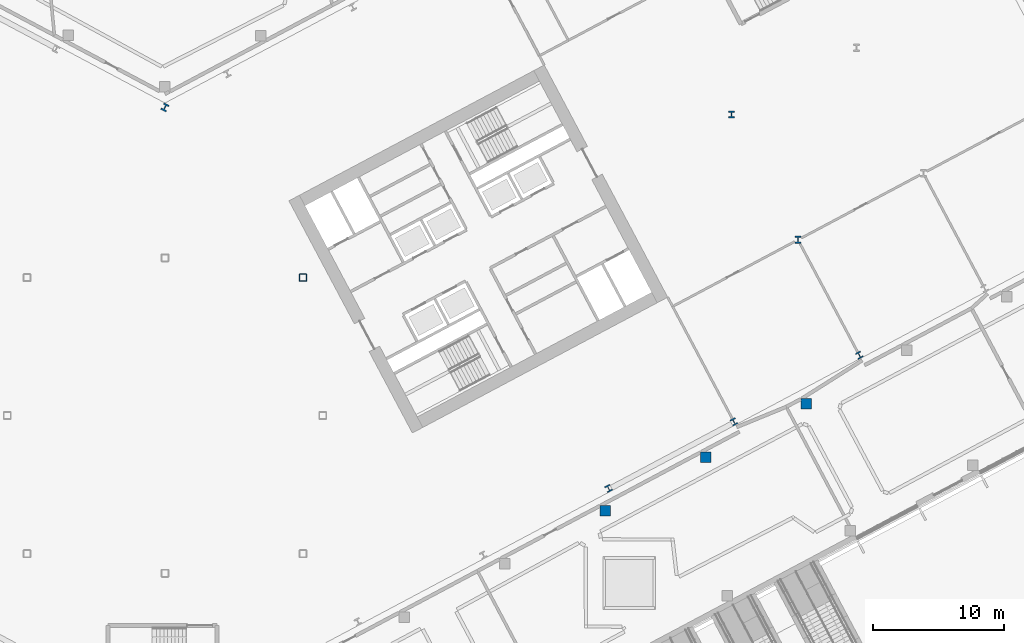
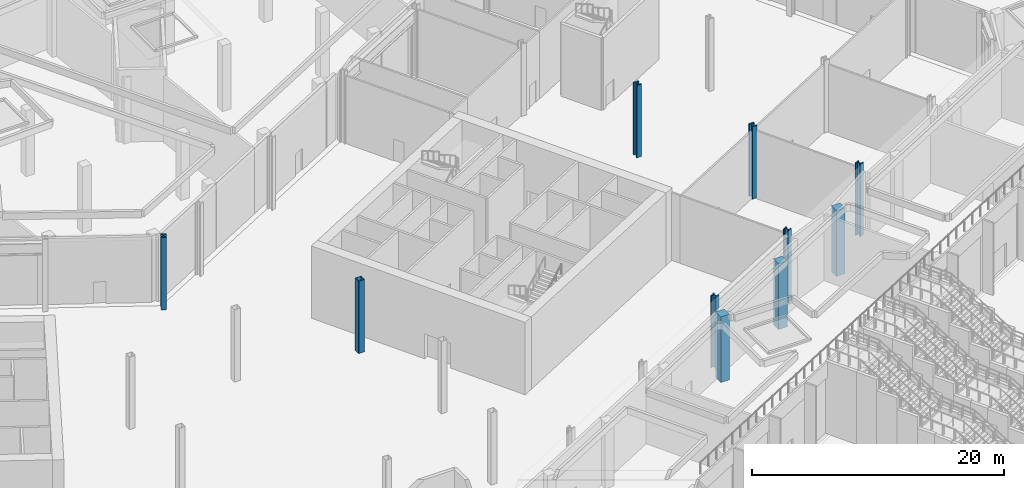
# One storey, part 4 of 57: 10 columns.
"""IFC4 building model written with IfcOpenShell, lengths in metres."""

from ifc_helpers import new_model, si_unit, direction, frame, origin, origin_2d, place, context, subcontext, project, spatial, rectangle, hollow_rectangle, i_section, extrude, material, material_profile, profile_set, type_object, element, save


model = new_model("IFC4")

# Units and contexts
model_context = context("Model", 3, precision=1e-05, world=origin(), true_north=direction((0.0, 1.0)))
body_context = subcontext(model_context, "Body", "Model", "MODEL_VIEW")
ifc_project = project(units=[si_unit("LENGTHUNIT", "METRE"), si_unit("AREAUNIT", "SQUARE_METRE"), si_unit("VOLUMEUNIT", "CUBIC_METRE"), si_unit("PLANEANGLEUNIT", "RADIAN"), si_unit("MASSUNIT", "GRAM", prefix="KILO")], contexts=[model_context])

# Site, building, storey
site_placement = place(None, origin())
site = spatial("IfcSite", under=ifc_project, at=site_placement, CompositionType="ELEMENT")
building_placement = place(site_placement, origin())
building = spatial("IfcBuilding", under=site, at=building_placement, Name="Cormorant Relay Tower", CompositionType="ELEMENT")
storey_placement = place(building_placement, origin())
storey = spatial("IfcBuildingStorey", under=building, at=storey_placement, Name="L00", CompositionType="ELEMENT", Elevation=0.0)

# Columns
ifc_material_1 = material(Name="Concrete 50 MPa", Category="concrete")
ifc_material_profile_1 = material_profile(ifc_material_1, rectangle(XDim=0.800048828125, YDim=0.800048828125, at=origin_2d()), Name="RC 800x800")
ifc_profile_set_1 = profile_set([ifc_material_profile_1], Name="Concrete 50 MPa")
column_type_1 = type_object("IfcColumnType", Name="Base column 800 x 800", PredefinedType="COLUMN", material=ifc_profile_set_1)
for number, where, z_axis, x_axis, name in (
    (1, (33.490966796875, -7.221923828125, 0.0), (0.0, 0.0, 1.0), (1.0, 0.0, 0.0), "Base column"),
    (2, (41.133056640625, -3.158935546875, 0.0), (0.0, 0.0, 1.0), (1.0, 0.0, 0.0), "Base column"),
    (3, (48.77490234375, 0.904052734375, 0.0), (0.0, 0.0, 1.0), (1.0, 0.0, 0.0), "Base column"),
):
    element("IfcColumn", number, at=place(storey_placement, frame(where, z_axis=z_axis, x_axis=x_axis)), inside=storey, type_object=column_type_1, Name=name, PredefinedType="COLUMN", context=body_context, shape_type="SweptSolid", body=[
        extrude(rectangle(XDim=0.800048828125, YDim=0.800048828125, at=origin_2d()), origin(), (0.0, 0.0, 1.0), 6.3701171875),
    ])
ifc_material_2 = material(Name="Steel ASTM A1085 Grade A (Fy 345 MPa)", Category="steel")
ifc_material_profile_2 = material_profile(ifc_material_2, hollow_rectangle(XDim=0.558837890625, YDim=0.558837890625, WallThickness=0.023681640625, InnerFilletRadius=0.01171875, OuterFilletRadius=0.035400390625, at=origin_2d()), Name="HSS559x559x24")
ifc_profile_set_2 = profile_set([ifc_material_profile_2], Name="Steel ASTM A1085 Grade A (Fy 345 MPa)")
column_type_2 = type_object("IfcColumnType", Name="Column HSS559x559x24", PredefinedType="COLUMN", material=ifc_profile_set_2)
column_placement = place(storey_placement, frame((10.5, 10.5, 0.0), z_axis=(0.0, 0.0, 1.0), x_axis=(1.0, 0.0, 0.0)))
element("IfcColumn", 4, at=column_placement, inside=storey, type_object=column_type_2, Name="Column L00-023", PredefinedType="COLUMN", context=body_context, shape_type="SweptSolid", body=[
    extrude(hollow_rectangle(XDim=0.558837890625, YDim=0.558837890625, WallThickness=0.023681640625, InnerFilletRadius=0.01171875, OuterFilletRadius=0.035400390625, at=origin_2d()), origin(), (0.0, 0.0, 1.0), 7.0),
])
ifc_material_3 = material(Name="Steel ASTM A992 (Fy 345 MPa)", Category="steel")
ifc_material_profile_3 = material_profile(ifc_material_3, i_section(OverallWidth=0.45458984375, OverallDepth=0.569091796875, WebThickness=0.077880859375, FlangeThickness=0.124755859375, FilletRadius=0.015380859375, at=origin_2d()), Name="W360x1086")
ifc_profile_set_3 = profile_set([ifc_material_profile_3], Name="Steel ASTM A992 (Fy 345 MPa)")
column_type_3 = type_object("IfcColumnType", Name="Column W360x1086", PredefinedType="COLUMN", material=ifc_profile_set_3)
for number, where, z_axis, x_axis, name in (
    (5, (48.157958984375, 13.3740234375, 0.0), (0.0, 0.0, 1.0), (1.0, 0.0, 0.0), "Column L00-025"),
    (6, (43.087890625, 22.909912109375, 0.0), (0.0, 0.0, 1.0), (1.0, 0.0, 0.0), "Column L00-031"),
    (7, (0.0, 23.4541015625, 0.0), (0.0, 0.0, 1.0), (-0.882947592859, 0.469471562786, 0.0), "Column L00-032"),
):
    element("IfcColumn", number, at=place(storey_placement, frame(where, z_axis=z_axis, x_axis=x_axis)), inside=storey, type_object=column_type_3, Name=name, PredefinedType="COLUMN", context=body_context, shape_type="SweptSolid", body=[
        extrude(i_section(OverallWidth=0.45458984375, OverallDepth=0.569091796875, WebThickness=0.077880859375, FlangeThickness=0.124755859375, FilletRadius=0.015380859375, at=origin_2d()), origin(), (0.0, 0.0, 1.0), 7.0),
    ])
ifc_material_4 = material(Name="Steel ASTM A992 (Fy 345 MPa)", Category="steel")
ifc_material_profile_4 = material_profile(ifc_material_4, i_section(OverallWidth=0.43701171875, OverallDepth=0.51318359375, WebThickness=0.060546875, FlangeThickness=0.096923828125, FilletRadius=0.015380859375, at=origin_2d()), Name="W360x818")
ifc_profile_set_4 = profile_set([ifc_material_profile_4], Name="Steel ASTM A992 (Fy 345 MPa)")
column_type_4 = type_object("IfcColumnType", Name="Column W360x818", PredefinedType="COLUMN", material=ifc_profile_set_4)
for number, where, z_axis, x_axis, name in (
    (8, (33.7529296875, -5.54296875, 0.0), (0.0, 0.0, 1.0), (0.882947592859, 0.469471562786, 0.0), "Column L00-012"),
    (9, (43.2890625, -0.471923828125, 0.0), (0.0, 0.0, 1.0), (0.882947592859, 0.469471562786, 0.0), "Column L00-014"),
    (10, (52.824951171875, 4.597900390625, 0.0), (0.0, 0.0, 1.0), (0.882947592859, 0.469471562786, 0.0), "Column L00-019"),
):
    element("IfcColumn", number, at=place(storey_placement, frame(where, z_axis=z_axis, x_axis=x_axis)), inside=storey, type_object=column_type_4, Name=name, PredefinedType="COLUMN", context=body_context, shape_type="SweptSolid", body=[
        extrude(i_section(OverallWidth=0.43701171875, OverallDepth=0.51318359375, WebThickness=0.060546875, FlangeThickness=0.096923828125, FilletRadius=0.015380859375, at=origin_2d()), origin(), (0.0, 0.0, 1.0), 7.0),
    ])

save(model, "model.ifc")
